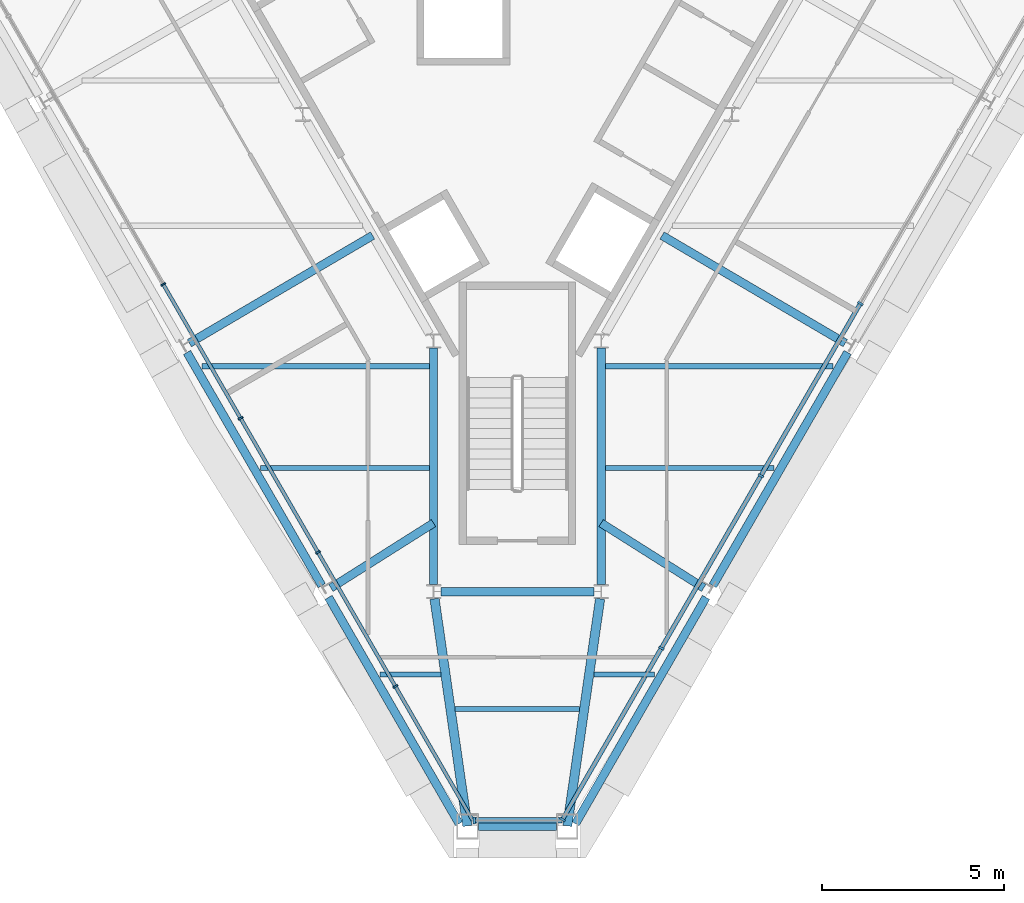
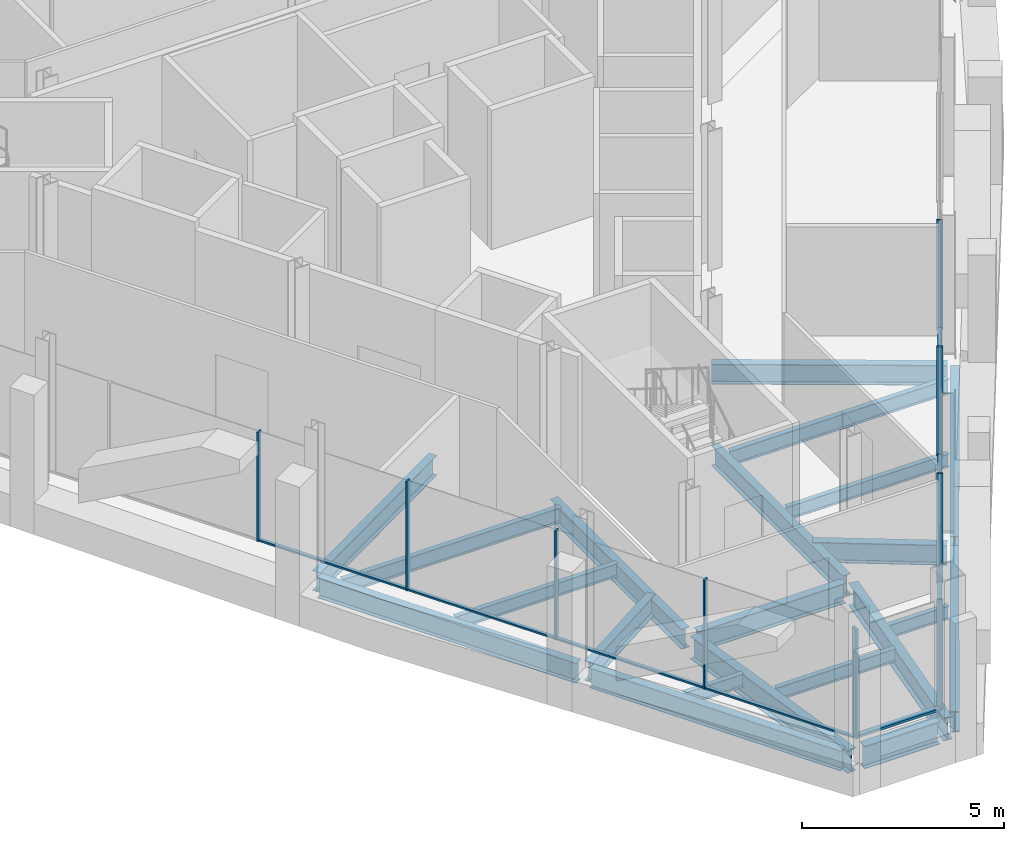
# One storey, part 3 of 13: 21 beams, 17 members, 3 elements without a shape of their own.
"""IFC4 building model written with IfcOpenShell, lengths in metres."""

from ifc_helpers import new_model, si_unit, direction, frame, origin, origin_2d, place, context, subcontext, project, spatial, rectangle, i_section, extrude, material, material_profile, profile_set, type_object, element, aggregate, save


model = new_model("IFC4")

# Units and contexts
model_context = context("Model", 3, precision=1e-05, world=origin(), true_north=direction((0.0, 1.0)))
body_context = subcontext(model_context, "Body", "Model", "MODEL_VIEW")
ifc_project = project(units=[si_unit("LENGTHUNIT", "METRE"), si_unit("AREAUNIT", "SQUARE_METRE"), si_unit("VOLUMEUNIT", "CUBIC_METRE"), si_unit("PLANEANGLEUNIT", "RADIAN"), si_unit("MASSUNIT", "GRAM", prefix="KILO")], contexts=[model_context])

# Site, building, storey
site_placement = place(None, origin())
site = spatial("IfcSite", under=ifc_project, at=site_placement, CompositionType="ELEMENT")
building_placement = place(site_placement, origin())
building = spatial("IfcBuilding", under=site, at=building_placement, Name="Verrane Prism Tower", CompositionType="ELEMENT")
storey_placement = place(building_placement, frame((0.0, 0.0, 308.39990234375)))
storey = spatial("IfcBuildingStorey", under=building, at=storey_placement, Name="L78", CompositionType="ELEMENT", Elevation=308.39990234375)

# Beams
ifc_material_1 = material(Name="Steel A992", Category="steel")
ifc_material_profile_1 = material_profile(ifc_material_1, i_section(OverallWidth=0.25390625, OverallDepth=0.683349609375, WebThickness=0.012451171875, FlangeThickness=0.01904296875, FilletRadius=0.01513671875, at=origin_2d()), Name="W27x94")
ifc_profile_set_1 = profile_set([ifc_material_profile_1], Name="Steel A992")
beam_type_1 = type_object("IfcBeamType", Name="Chamfer spandrel beam W27x94", PredefinedType="SPANDREL", material=ifc_profile_set_1)
beam_1_placement = place(storey_placement, frame((-1.070068359375, -22.929931640625, -0.50146484375), z_axis=(1.0, 0.0, 0.0), x_axis=(0.0, 1.0, 0.0)))
element("IfcBeam", 1, at=beam_1_placement, inside=storey, type_object=beam_type_1, Name="Chamfer spandrel beam L78", PredefinedType="SPANDREL", context=body_context, shape_type="SweptSolid", body=[
    extrude(i_section(OverallWidth=0.25390625, OverallDepth=0.683349609375, WebThickness=0.012451171875, FlangeThickness=0.01904296875, FilletRadius=0.01513671875, at=origin_2d()), origin(), (0.0, 0.0, 1.0), 2.14013671875),
])
ifc_material_2 = material(Name="Steel A992", Category="steel")
ifc_material_profile_2 = material_profile(ifc_material_2, i_section(OverallWidth=0.228271484375, OverallDepth=0.607177734375, WebThickness=0.01123046875, FlangeThickness=0.017333984375, FilletRadius=0.0126953125, at=origin_2d()), Name="W24x76")
ifc_profile_set_2 = profile_set([ifc_material_profile_2], Name="Steel A992")
beam_type_2 = type_object("IfcBeamType", Name="Core ring girder W24x76", PredefinedType="BEAM", material=ifc_profile_set_2)
beam_2_placement = place(storey_placement, frame((-2.300048828125, -9.81298828125, -0.553466796875), z_axis=(0.0, -1.0, 0.0), x_axis=(1.0, 0.0, 0.0)))
element("IfcBeam", 2, at=beam_2_placement, inside=storey, type_object=beam_type_2, Name="Core ring girder L78", PredefinedType="BEAM", context=body_context, shape_type="SweptSolid", body=[
    extrude(i_section(OverallWidth=0.228271484375, OverallDepth=0.607177734375, WebThickness=0.01123046875, FlangeThickness=0.017333984375, FilletRadius=0.0126953125, at=origin_2d()), origin(), (0.0, 0.0, 1.0), 6.493896484375),
])
beam_3_placement = place(storey_placement, frame((-2.1005859375, -16.5, -0.553466796875), z_axis=(1.0, 0.0, 0.0), x_axis=(0.0, 1.0, 0.0)))
element("IfcBeam", 3, at=beam_3_placement, inside=storey, type_object=beam_type_2, Name="Core ring girder L78", PredefinedType="BEAM", context=body_context, shape_type="SweptSolid", body=[
    extrude(i_section(OverallWidth=0.228271484375, OverallDepth=0.607177734375, WebThickness=0.01123046875, FlangeThickness=0.017333984375, FilletRadius=0.0126953125, at=origin_2d()), origin(), (0.0, 0.0, 1.0), 4.201171875),
])
beam_4_placement = place(storey_placement, frame((2.300048828125, -16.306884765625, -0.553466796875), z_axis=(0.0, 1.0, 0.0), x_axis=(-1.0, 0.0, 0.0)))
element("IfcBeam", 4, at=beam_4_placement, inside=storey, type_object=beam_type_2, Name="Core ring girder L78", PredefinedType="BEAM", context=body_context, shape_type="SweptSolid", body=[
    extrude(i_section(OverallWidth=0.228271484375, OverallDepth=0.607177734375, WebThickness=0.01123046875, FlangeThickness=0.017333984375, FilletRadius=0.0126953125, at=origin_2d()), origin(), (0.0, 0.0, 1.0), 6.493896484375),
])
ifc_material_3 = material(Name="Steel A992", Category="steel")
ifc_material_profile_3 = material_profile(ifc_material_3, i_section(OverallWidth=0.25390625, OverallDepth=0.683349609375, WebThickness=0.012451171875, FlangeThickness=0.01904296875, FilletRadius=0.01513671875, at=origin_2d()), Name="W27x94")
ifc_profile_set_3 = profile_set([ifc_material_profile_3], Name="Steel A992")
beam_type_3 = type_object("IfcBeamType", Name="Corner girder W27x94", PredefinedType="BEAM", material=ifc_profile_set_3)
beam_5_placement = place(storey_placement, frame((-1.37060546875, -22.926513671875, -0.5615234375), z_axis=(-0.143152302146, 0.989700671107, 0.0), x_axis=(-0.989700671107, -0.143152302146, 0.0)))
element("IfcBeam", 5, at=beam_5_placement, inside=storey, type_object=beam_type_3, Name="Corner girder L78", PredefinedType="BEAM", context=body_context, shape_type="SweptSolid", body=[
    extrude(i_section(OverallWidth=0.25390625, OverallDepth=0.683349609375, WebThickness=0.012451171875, FlangeThickness=0.01904296875, FilletRadius=0.01513671875, at=origin_2d()), origin(), (0.0, 0.0, 1.0), 6.29833984375),
])
beam_6_placement = place(storey_placement, frame((1.37060546875, -22.92626953125, -0.5615234375), z_axis=(0.143157794237, 0.989699876705, 0.0), x_axis=(-0.989699876705, 0.143157794237, 0.0)))
element("IfcBeam", 6, at=beam_6_placement, inside=storey, type_object=beam_type_3, Name="Corner girder L78", PredefinedType="BEAM", context=body_context, shape_type="SweptSolid", body=[
    extrude(i_section(OverallWidth=0.25390625, OverallDepth=0.683349609375, WebThickness=0.012451171875, FlangeThickness=0.01904296875, FilletRadius=0.01513671875, at=origin_2d()), origin(), (0.0, 0.0, 1.0), 6.298095703125),
])
ifc_material_4 = material(Name="Steel A992", Category="steel")
ifc_material_profile_4 = material_profile(ifc_material_4, i_section(OverallWidth=0.140380859375, OverallDepth=0.40380859375, WebThickness=0.007080078125, FlangeThickness=0.01123046875, FilletRadius=0.01025390625, at=origin_2d()), Name="W16x31")
ifc_profile_set_4 = profile_set([ifc_material_profile_4], Name="Steel A992")
beam_type_4 = type_object("IfcBeamType", Name="Floor beam W16x31", PredefinedType="BEAM", material=ifc_profile_set_4)
beam_7_placement = place(storey_placement, frame((-7.044921875, -13.10009765625, -0.36181640625), z_axis=(1.0, 0.0, 0.0), x_axis=(0.0, 1.0, 0.0)))
element("IfcBeam", 7, at=beam_7_placement, inside=storey, type_object=beam_type_4, Name="Floor beam L78", PredefinedType="BEAM", context=body_context, shape_type="SweptSolid", body=[
    extrude(i_section(OverallWidth=0.140380859375, OverallDepth=0.40380859375, WebThickness=0.007080078125, FlangeThickness=0.01123046875, FilletRadius=0.01025390625, at=origin_2d()), origin(), (0.0, 0.0, 1.0), 4.630859375),
])
for number, where, z_axis, x_axis, name in (
    (8, (-3.7666015625, -18.77490234375, -0.36181640625), (1.0, 0.0, 0.0), (0.0, 1.0, 0.0), "Floor beam L78"),
    (9, (2.099365234375, -18.77490234375, -0.36181640625), (1.0, 0.0, 0.0), (0.0, 1.0, 0.0), "Floor beam L78"),
):
    element("IfcBeam", number, at=place(storey_placement, frame(where, z_axis=z_axis, x_axis=x_axis)), inside=storey, type_object=beam_type_4, Name=name, PredefinedType="BEAM", context=body_context, shape_type="SweptSolid", body=[
        extrude(i_section(OverallWidth=0.140380859375, OverallDepth=0.40380859375, WebThickness=0.007080078125, FlangeThickness=0.01123046875, FilletRadius=0.01025390625, at=origin_2d()), origin(), (0.0, 0.0, 1.0), 1.667236328125),
    ])
beam_8_placement = place(storey_placement, frame((2.4140625, -13.10009765625, -0.36181640625), z_axis=(1.0, 0.0, 0.0), x_axis=(0.0, 1.0, 0.0)))
element("IfcBeam", 10, at=beam_8_placement, inside=storey, type_object=beam_type_4, Name="Floor beam L78", PredefinedType="BEAM", context=body_context, shape_type="SweptSolid", body=[
    extrude(i_section(OverallWidth=0.140380859375, OverallDepth=0.40380859375, WebThickness=0.007080078125, FlangeThickness=0.01123046875, FilletRadius=0.01025390625, at=origin_2d()), origin(), (0.0, 0.0, 1.0), 4.630859375),
])
beam_9_placement = place(storey_placement, frame((-1.706787109375, -19.715087890625, -0.36181640625), z_axis=(1.0, 0.0, 0.0), x_axis=(0.0, 1.0, 0.0)))
element("IfcBeam", 11, at=beam_9_placement, inside=storey, type_object=beam_type_4, Name="Floor beam L78", PredefinedType="BEAM", context=body_context, shape_type="SweptSolid", body=[
    extrude(i_section(OverallWidth=0.140380859375, OverallDepth=0.40380859375, WebThickness=0.007080078125, FlangeThickness=0.01123046875, FilletRadius=0.01025390625, at=origin_2d()), origin(), (0.0, 0.0, 1.0), 3.41357421875),
])
ifc_material_5 = material(Name="Steel A992", Category="steel")
ifc_material_profile_5 = material_profile(ifc_material_5, i_section(OverallWidth=0.15234375, OverallDepth=0.449462890625, WebThickness=0.007568359375, FlangeThickness=0.0107421875, FilletRadius=0.01025390625, at=origin_2d()), Name="W18x35")
ifc_profile_set_5 = profile_set([ifc_material_profile_5], Name="Steel A992")
beam_type_5 = type_object("IfcBeamType", Name="Floor beam W18x35", PredefinedType="BEAM", material=ifc_profile_set_5)
for number, where, z_axis, x_axis, name in (
    (12, (-8.658203125, -10.31005859375, -0.384765625), (1.0, 0.0, 0.0), (0.0, 1.0, 0.0), "Floor beam L78"),
    (13, (2.4140625, -10.31005859375, -0.384765625), (1.0, 0.0, 0.0), (0.0, 1.0, 0.0), "Floor beam L78"),
):
    element("IfcBeam", number, at=place(storey_placement, frame(where, z_axis=z_axis, x_axis=x_axis)), inside=storey, type_object=beam_type_5, Name=name, PredefinedType="BEAM", context=body_context, shape_type="SweptSolid", body=[
        extrude(i_section(OverallWidth=0.15234375, OverallDepth=0.449462890625, WebThickness=0.007568359375, FlangeThickness=0.0107421875, FilletRadius=0.01025390625, at=origin_2d()), origin(), (0.0, 0.0, 1.0), 6.244140625),
    ])

# Curtain wall, members
ifc_material_6 = material(Name="Aluminium framed insulated glazing", Category="aluminium")
curtain_wall_type_1 = type_object("IfcCurtainWallType", Name="Curtain wall CW-C 4200 module", PredefinedType="NOTDEFINED", material=ifc_material_6)
curtain_wall_1_placement = place(storey_placement, origin())
curtain_wall_1 = element("IfcCurtainWall", 14, at=curtain_wall_1_placement, inside=storey, type_object=curtain_wall_type_1, Name="Glazed curtain wall south-west face L78", PredefinedType="NOTDEFINED")
ifc_material_7 = material(Name="Aluminium alloy 6063-T6", Category="aluminium")
ifc_material_profile_6 = material_profile(ifc_material_7, rectangle(XDim=0.139892578125, YDim=0.050048828125, at=origin_2d()), Name="Mullion 50x140 aluminium")
ifc_profile_set_6 = profile_set([ifc_material_profile_6], Name="Aluminium alloy 6063-T6")
member_type_1 = type_object("IfcMemberType", Name="Mullion 50x140 aluminium", PredefinedType="MULLION", material=ifc_profile_set_6)
member_1_placement = place(storey_placement, frame((-9.7177734375, -8.062744140625, 0.0), z_axis=(0.0, 0.0, 1.0), x_axis=(0.866025278644, 0.500000216749, 0.0)))
member_1 = element("IfcMember", 15, at=member_1_placement, type_object=member_type_1, Name="CW78.4 mullion 6", PredefinedType="MULLION", context=body_context, shape_type="SweptSolid", body=[
    extrude(rectangle(XDim=0.139892578125, YDim=0.050048828125, at=origin_2d()), origin(), (0.0, 0.0, 1.0), 3.296875),
])
member_2_placement = place(storey_placement, frame((-7.593994140625, -11.741455078125, 0.0), z_axis=(0.0, 0.0, 1.0), x_axis=(0.866025278644, 0.500000216749, 0.0)))
member_2 = element("IfcMember", 16, at=member_2_placement, type_object=member_type_1, Name="CW78.4 mullion 7", PredefinedType="MULLION", context=body_context, shape_type="SweptSolid", body=[
    extrude(rectangle(XDim=0.139892578125, YDim=0.050048828125, at=origin_2d()), origin(), (0.0, 0.0, 1.0), 3.296875),
])
member_3_placement = place(storey_placement, frame((-5.47021484375, -15.419921875, 0.0), z_axis=(0.0, 0.0, 1.0), x_axis=(0.866025278644, 0.500000216749, 0.0)))
member_3 = element("IfcMember", 17, at=member_3_placement, type_object=member_type_1, Name="CW78.4 mullion 8", PredefinedType="MULLION", context=body_context, shape_type="SweptSolid", body=[
    extrude(rectangle(XDim=0.139892578125, YDim=0.050048828125, at=origin_2d()), origin(), (0.0, 0.0, 1.0), 3.296875),
])
member_4_placement = place(storey_placement, frame((-3.346435546875, -19.098388671875, 0.0), z_axis=(0.0, 0.0, 1.0), x_axis=(0.866025278644, 0.500000216749, 0.0)))
member_4 = element("IfcMember", 18, at=member_4_placement, type_object=member_type_1, Name="CW78.4 mullion 9", PredefinedType="MULLION", context=body_context, shape_type="SweptSolid", body=[
    extrude(rectangle(XDim=0.139892578125, YDim=0.050048828125, at=origin_2d()), origin(), (0.0, 0.0, 1.0), 3.296875),
])

ifc_material_8 = material(Name="Aluminium framed insulated glazing", Category="aluminium")
curtain_wall_type_2 = type_object("IfcCurtainWallType", Name="Curtain wall CW-B 5600 module", PredefinedType="NOTDEFINED", material=ifc_material_8)
curtain_wall_2_placement = place(storey_placement, origin())
curtain_wall_2 = element("IfcCurtainWall", 19, at=curtain_wall_2_placement, inside=storey, type_object=curtain_wall_type_2, Name="Glazed curtain wall south-east face L78", PredefinedType="NOTDEFINED")
ifc_material_9 = material(Name="Aluminium alloy 6063-T6", Category="aluminium")
ifc_material_profile_7 = material_profile(ifc_material_9, rectangle(XDim=0.159912109375, YDim=0.06005859375, at=origin_2d()), Name="Mullion 60x160 aluminium")
ifc_profile_set_7 = profile_set([ifc_material_profile_7], Name="Aluminium alloy 6063-T6")
member_type_2 = type_object("IfcMemberType", Name="Mullion 60x160 aluminium", PredefinedType="MULLION", material=ifc_profile_set_7)
member_5_placement = place(storey_placement, frame((1.237548828125, -22.750732421875, 0.0), z_axis=(0.0, 0.0, 1.0), x_axis=(-0.866025278644, 0.500000216749, 0.0)))
member_5 = element("IfcMember", 20, at=member_5_placement, type_object=member_type_2, Name="CW78.6 mullion 1", PredefinedType="MULLION", context=body_context, shape_type="SweptSolid", body=[
    extrude(rectangle(XDim=0.159912109375, YDim=0.06005859375, at=origin_2d()), origin(), (0.0, 0.0, 1.0), 3.296875),
])
member_6_placement = place(storey_placement, frame((3.953125, -18.04736328125, 0.0), z_axis=(0.0, 0.0, 1.0), x_axis=(-0.866025278644, 0.500000216749, 0.0)))
member_6 = element("IfcMember", 21, at=member_6_placement, type_object=member_type_2, Name="CW78.6 mullion 2", PredefinedType="MULLION", context=body_context, shape_type="SweptSolid", body=[
    extrude(rectangle(XDim=0.159912109375, YDim=0.06005859375, at=origin_2d()), origin(), (0.0, 0.0, 1.0), 3.296875),
])
member_7_placement = place(storey_placement, frame((6.683837890625, -13.31787109375, 0.0), z_axis=(0.0, 0.0, 1.0), x_axis=(-0.866025278644, 0.500000216749, 0.0)))
member_7 = element("IfcMember", 22, at=member_7_placement, type_object=member_type_2, Name="CW78.6 mullion 3", PredefinedType="MULLION", context=body_context, shape_type="SweptSolid", body=[
    extrude(rectangle(XDim=0.159912109375, YDim=0.06005859375, at=origin_2d()), origin(), (0.0, 0.0, 1.0), 3.296875),
])
member_8_placement = place(storey_placement, frame((9.414306640625, -8.58837890625, 0.0), z_axis=(0.0, 0.0, 1.0), x_axis=(-0.866025278644, 0.500000216749, 0.0)))
member_8 = element("IfcMember", 23, at=member_8_placement, type_object=member_type_2, Name="CW78.6 mullion 4", PredefinedType="MULLION", context=body_context, shape_type="SweptSolid", body=[
    extrude(rectangle(XDim=0.159912109375, YDim=0.06005859375, at=origin_2d()), origin(), (0.0, 0.0, 1.0), 3.296875),
])

# Curtain wall, member
ifc_material_10 = material(Name="Aluminium framed insulated glazing", Category="aluminium")
curtain_wall_type_3 = type_object("IfcCurtainWallType", Name="Curtain wall CW-A 8400 module", PredefinedType="NOTDEFINED", material=ifc_material_10)
curtain_wall_3_placement = place(storey_placement, origin())
curtain_wall_3 = element("IfcCurtainWall", 24, at=curtain_wall_3_placement, inside=storey, type_object=curtain_wall_type_3, Name="Glazed curtain wall south corner L78", PredefinedType="NOTDEFINED")
ifc_material_11 = material(Name="Aluminium alloy 6063-T6", Category="aluminium")
ifc_material_profile_8 = material_profile(ifc_material_11, rectangle(XDim=0.199951171875, YDim=0.070068359375, at=origin_2d()), Name="Mullion 70x200 aluminium")
ifc_profile_set_8 = profile_set([ifc_material_profile_8], Name="Aluminium alloy 6063-T6")
member_type_3 = type_object("IfcMemberType", Name="Mullion 70x200 aluminium", PredefinedType="MULLION", material=ifc_profile_set_8)
member_9_placement = place(storey_placement, frame((-1.1875, -22.77685546875, 0.0), z_axis=(0.0, 0.0, 1.0), x_axis=(0.0, 1.0, 0.0)))
member_9 = element("IfcMember", 25, at=member_9_placement, type_object=member_type_3, Name="CW78.5 mullion 1", PredefinedType="MULLION", context=body_context, shape_type="SweptSolid", body=[
    extrude(rectangle(XDim=0.199951171875, YDim=0.070068359375, at=origin_2d()), origin(), (0.0, 0.0, 1.0), 3.296875),
])

# Beams
ifc_material_12 = material(Name="Steel A992", Category="steel")
ifc_material_profile_9 = material_profile(ifc_material_12, i_section(OverallWidth=0.228271484375, OverallDepth=0.607177734375, WebThickness=0.01123046875, FlangeThickness=0.017333984375, FilletRadius=0.0126953125, at=origin_2d()), Name="W24x76")
ifc_profile_set_9 = profile_set([ifc_material_profile_9], Name="Steel A992")
beam_type_6 = type_object("IfcBeamType", Name="Radial girder W24x76", PredefinedType="BEAM", material=ifc_profile_set_9)
beam_10_placement = place(storey_placement, frame((-9.0, -9.6787109375, -0.5234375), z_axis=(0.862159036433, 0.506637736354, 0.0), x_axis=(-0.506637736354, 0.862159036433, 0.0)))
element("IfcBeam", 26, at=beam_10_placement, inside=storey, type_object=beam_type_6, Name="Radial girder L78", PredefinedType="BEAM", context=body_context, shape_type="SweptSolid", body=[
    extrude(i_section(OverallWidth=0.228271484375, OverallDepth=0.607177734375, WebThickness=0.01123046875, FlangeThickness=0.017333984375, FilletRadius=0.0126953125, at=origin_2d()), origin(), (0.0, 0.0, 1.0), 5.832275390625),
])
for number, where, z_axis, x_axis, name in (
    (27, (-5.11669921875, -16.39599609375, -0.5234375), (0.845307784974, 0.534279653985, 0.0), (-0.534279653985, 0.845307784974, 0.0), "Radial girder L78"),
    (28, (5.11669921875, -16.39599609375, -0.5234375), (-0.845307784974, 0.534279653985, 0.0), (-0.534279653985, -0.845307784974, 0.0), "Radial girder L78"),
):
    element("IfcBeam", number, at=place(storey_placement, frame(where, z_axis=z_axis, x_axis=x_axis)), inside=storey, type_object=beam_type_6, Name=name, PredefinedType="BEAM", context=body_context, shape_type="SweptSolid", body=[
        extrude(i_section(OverallWidth=0.228271484375, OverallDepth=0.607177734375, WebThickness=0.01123046875, FlangeThickness=0.017333984375, FilletRadius=0.0126953125, at=origin_2d()), origin(), (0.0, 0.0, 1.0), 3.33203125),
    ])
beam_11_placement = place(storey_placement, frame((9.0, -9.6787109375, -0.5234375), z_axis=(-0.862159036433, 0.506637736354, 0.0), x_axis=(-0.506637736354, -0.862159036433, 0.0)))
element("IfcBeam", 29, at=beam_11_placement, inside=storey, type_object=beam_type_6, Name="Radial girder L78", PredefinedType="BEAM", context=body_context, shape_type="SweptSolid", body=[
    extrude(i_section(OverallWidth=0.228271484375, OverallDepth=0.607177734375, WebThickness=0.01123046875, FlangeThickness=0.017333984375, FilletRadius=0.0126953125, at=origin_2d()), origin(), (0.0, 0.0, 1.0), 5.832275390625),
])
ifc_material_13 = material(Name="Steel A992", Category="steel")
ifc_material_profile_10 = material_profile(ifc_material_13, i_section(OverallWidth=0.228271484375, OverallDepth=0.607177734375, WebThickness=0.01123046875, FlangeThickness=0.017333984375, FilletRadius=0.0126953125, at=origin_2d()), Name="W24x76")
ifc_profile_set_10 = profile_set([ifc_material_profile_10], Name="Steel A992")
beam_type_7 = type_object("IfcBeamType", Name="Spandrel beam W24x76", PredefinedType="SPANDREL", material=ifc_profile_set_10)
beam_12_placement = place(storey_placement, frame((-9.065185546875, -9.93359375, -0.46337890625), z_axis=(0.500472390776, -0.865752497005, 0.0), x_axis=(0.865752497005, 0.500472390776, 0.0)))
element("IfcBeam", 30, at=beam_12_placement, inside=storey, type_object=beam_type_7, Name="Spandrel beam L78", PredefinedType="SPANDREL", context=body_context, shape_type="SweptSolid", body=[
    extrude(i_section(OverallWidth=0.228271484375, OverallDepth=0.607177734375, WebThickness=0.01123046875, FlangeThickness=0.017333984375, FilletRadius=0.0126953125, at=origin_2d()), origin(), (0.0, 0.0, 1.0), 7.391357421875),
])
for number, where, z_axis, x_axis, name in (
    (31, (-5.17919921875, -16.656005859375, -0.46337890625), (0.499647776226, -0.866228664795, 0.0), (0.866228664795, 0.499647776226, 0.0), "Spandrel beam L78"),
    (32, (1.5966796875, -22.866943359375, -0.46337890625), (0.499647776226, 0.866228664795, 0.0), (-0.866228664795, 0.499647776226, 0.0), "Spandrel beam L78"),
):
    element("IfcBeam", number, at=place(storey_placement, frame(where, z_axis=z_axis, x_axis=x_axis)), inside=storey, type_object=beam_type_7, Name=name, PredefinedType="SPANDREL", context=body_context, shape_type="SweptSolid", body=[
        extrude(i_section(OverallWidth=0.228271484375, OverallDepth=0.607177734375, WebThickness=0.01123046875, FlangeThickness=0.017333984375, FilletRadius=0.0126953125, at=origin_2d()), origin(), (0.0, 0.0, 1.0), 7.170166015625),
    ])
beam_13_placement = place(storey_placement, frame((5.365966796875, -16.332763671875, -0.46337890625), z_axis=(0.500472390776, 0.865752497005, 0.0), x_axis=(-0.865752497005, 0.500472390776, 0.0)))
element("IfcBeam", 33, at=beam_13_placement, inside=storey, type_object=beam_type_7, Name="Spandrel beam L78", PredefinedType="SPANDREL", context=body_context, shape_type="SweptSolid", body=[
    extrude(i_section(OverallWidth=0.228271484375, OverallDepth=0.607177734375, WebThickness=0.01123046875, FlangeThickness=0.017333984375, FilletRadius=0.0126953125, at=origin_2d()), origin(), (0.0, 0.0, 1.0), 7.391357421875),
])

# Member
ifc_material_14 = material(Name="Aluminium alloy 6063-T6", Category="aluminium")
ifc_material_profile_11 = material_profile(ifc_material_14, rectangle(XDim=0.10009765625, YDim=0.050048828125, at=origin_2d()), Name="Transom 50x100 aluminium")
ifc_profile_set_11 = profile_set([ifc_material_profile_11], Name="Aluminium alloy 6063-T6")
member_type_4 = type_object("IfcMemberType", Name="Transom 50x100 aluminium", PredefinedType="USERDEFINED", material=ifc_profile_set_11)
member_10_placement = place(storey_placement, frame((-9.705322265625, -8.08447265625, 0.025146484375), z_axis=(0.500011101102, -0.866018994465, 0.0), x_axis=(0.866018994465, 0.500011101102, 0.0)))
member_10 = element("IfcMember", 34, at=member_10_placement, type_object=member_type_4, Name="CW78.4 transom 6", ObjectType="TRANSOM", PredefinedType="USERDEFINED", context=body_context, shape_type="SweptSolid", body=[
    extrude(rectangle(XDim=0.10009765625, YDim=0.050048828125, at=origin_2d()), origin(), (0.0, 0.0, 1.0), 4.19775390625),
])

member_11_placement = place(storey_placement, frame((-7.58154296875, -11.762939453125, 0.025146484375), z_axis=(0.500011101102, -0.866018994465, 0.0), x_axis=(0.866018994465, 0.500011101102, 0.0)))
member_11 = element("IfcMember", 35, at=member_11_placement, type_object=member_type_4, Name="CW78.4 transom 7", ObjectType="TRANSOM", PredefinedType="USERDEFINED", context=body_context, shape_type="SweptSolid", body=[
    extrude(rectangle(XDim=0.10009765625, YDim=0.050048828125, at=origin_2d()), origin(), (0.0, 0.0, 1.0), 4.19775390625),
])

member_12_placement = place(storey_placement, frame((-5.457763671875, -15.44140625, 0.025146484375), z_axis=(0.500011101102, -0.866018994465, 0.0), x_axis=(0.866018994465, 0.500011101102, 0.0)))
member_12 = element("IfcMember", 36, at=member_12_placement, type_object=member_type_4, Name="CW78.4 transom 8", ObjectType="TRANSOM", PredefinedType="USERDEFINED", context=body_context, shape_type="SweptSolid", body=[
    extrude(rectangle(XDim=0.10009765625, YDim=0.050048828125, at=origin_2d()), origin(), (0.0, 0.0, 1.0), 4.19775390625),
])

member_13_placement = place(storey_placement, frame((-3.333984375, -19.119873046875, 0.025146484375), z_axis=(0.499994376692, -0.866028650378, 0.0), x_axis=(0.866028650378, 0.499994376692, 0.0)))
member_13 = element("IfcMember", 37, at=member_13_placement, type_object=member_type_4, Name="CW78.4 transom 9", ObjectType="TRANSOM", PredefinedType="USERDEFINED", context=body_context, shape_type="SweptSolid", body=[
    extrude(rectangle(XDim=0.10009765625, YDim=0.050048828125, at=origin_2d()), origin(), (0.0, 0.0, 1.0), 4.22265625),
])

aggregate(curtain_wall_1, [member_1, member_2, member_3, member_4, member_10, member_11, member_12, member_13])

ifc_material_15 = material(Name="Aluminium alloy 6063-T6", Category="aluminium")
ifc_material_profile_12 = material_profile(ifc_material_15, rectangle(XDim=0.1201171875, YDim=0.06005859375, at=origin_2d()), Name="Transom 60x120 aluminium")
ifc_profile_set_12 = profile_set([ifc_material_profile_12], Name="Aluminium alloy 6063-T6")
member_type_5 = type_object("IfcMemberType", Name="Transom 60x120 aluminium", PredefinedType="USERDEFINED", material=ifc_profile_set_12)
member_14_placement = place(storey_placement, frame((1.252685546875, -22.724853515625, 0.030029296875), z_axis=(0.499991317891, 0.866030416344, 0.0), x_axis=(-0.866030416344, 0.499991317891, 0.0)))
member_14 = element("IfcMember", 38, at=member_14_placement, type_object=member_type_5, Name="CW78.6 transom 1", ObjectType="TRANSOM", PredefinedType="USERDEFINED", context=body_context, shape_type="SweptSolid", body=[
    extrude(rectangle(XDim=0.1201171875, YDim=0.06005859375, at=origin_2d()), origin(), (0.0, 0.0, 1.0), 5.37109375),
])

member_15_placement = place(storey_placement, frame((3.96826171875, -18.021240234375, 0.030029296875), z_axis=(0.499984615007, 0.866034286132, 0.0), x_axis=(-0.866034286132, 0.499984615007, 0.0)))
member_15 = element("IfcMember", 39, at=member_15_placement, type_object=member_type_5, Name="CW78.6 transom 2", ObjectType="TRANSOM", PredefinedType="USERDEFINED", context=body_context, shape_type="SweptSolid", body=[
    extrude(rectangle(XDim=0.1201171875, YDim=0.06005859375, at=origin_2d()), origin(), (0.0, 0.0, 1.0), 5.401123046875),
])

member_16_placement = place(storey_placement, frame((6.69873046875, -13.291748046875, 0.030029296875), z_axis=(0.500018516412, 0.866014713065, 0.0), x_axis=(-0.866014713065, 0.500018516412, 0.0)))
member_16 = element("IfcMember", 40, at=member_16_placement, type_object=member_type_5, Name="CW78.6 transom 3", ObjectType="TRANSOM", PredefinedType="USERDEFINED", context=body_context, shape_type="SweptSolid", body=[
    extrude(rectangle(XDim=0.1201171875, YDim=0.06005859375, at=origin_2d()), origin(), (0.0, 0.0, 1.0), 5.401123046875),
])

aggregate(curtain_wall_2, [member_5, member_6, member_7, member_8, member_14, member_15, member_16])

ifc_material_16 = material(Name="Aluminium alloy 6063-T6", Category="aluminium")
ifc_material_profile_13 = material_profile(ifc_material_16, rectangle(XDim=0.14990234375, YDim=0.070068359375, at=origin_2d()), Name="Transom 70x150 aluminium")
ifc_profile_set_13 = profile_set([ifc_material_profile_13], Name="Aluminium alloy 6063-T6")
member_type_6 = type_object("IfcMemberType", Name="Transom 70x150 aluminium", PredefinedType="USERDEFINED", material=ifc_profile_set_13)
member_17_placement = place(storey_placement, frame((-1.152587890625, -22.77685546875, 0.03515625), z_axis=(1.0, 0.0, 0.0), x_axis=(0.0, 1.0, 0.0)))
member_17 = element("IfcMember", 41, at=member_17_placement, type_object=member_type_6, Name="CW78.5 transom 1", ObjectType="TRANSOM", PredefinedType="USERDEFINED", context=body_context, shape_type="SweptSolid", body=[
    extrude(rectangle(XDim=0.14990234375, YDim=0.070068359375, at=origin_2d()), origin(), (0.0, 0.0, 1.0), 2.375244140625),
])

aggregate(curtain_wall_3, [member_9, member_17])

save(model, "model.ifc")
